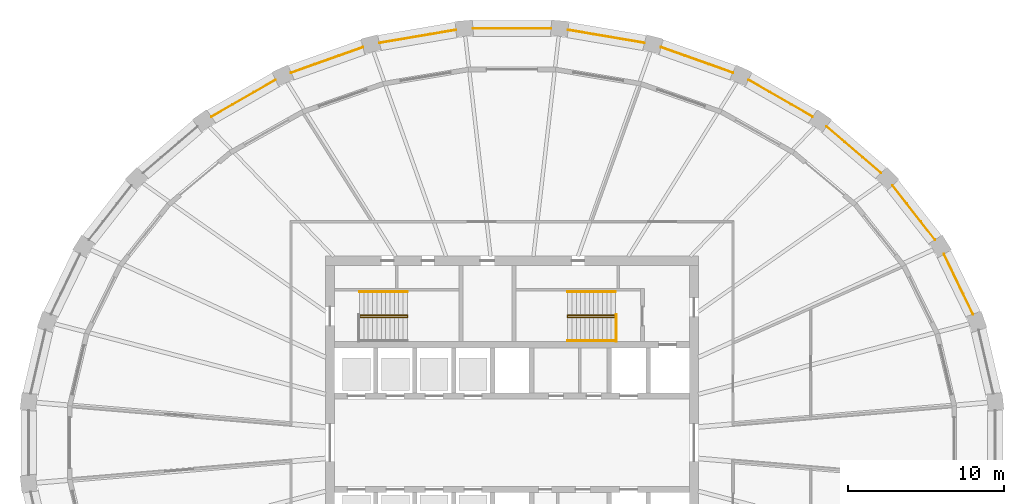
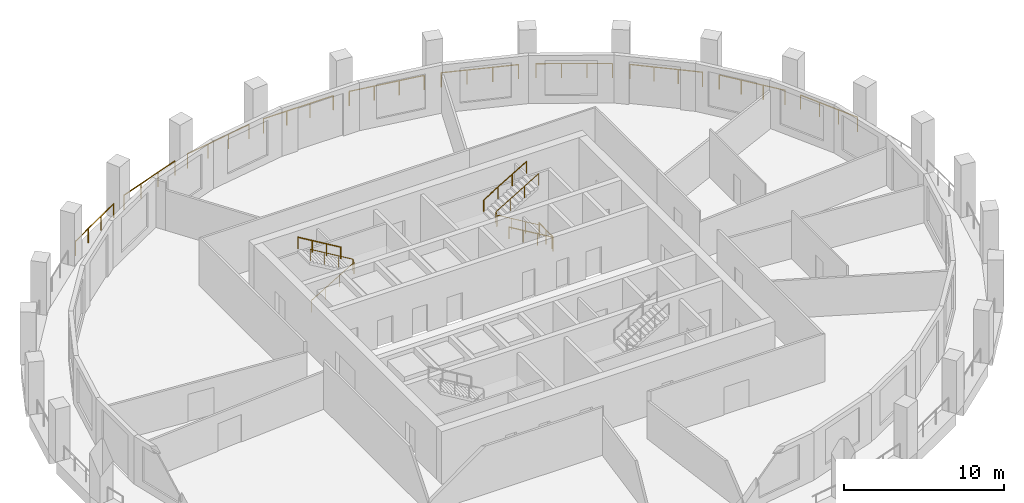
# One storey, part 9 of 10: 16 railings.
"""IFC4 building model written with IfcOpenShell, lengths in metres."""

from ifc_helpers import new_model, si_unit, direction, frame, origin, origin_2d, place, context, subcontext, project, spatial, circle, extrude, material, type_object, element, save


model = new_model("IFC4")

# Units and contexts
model_context = context("Model", 3, precision=1e-05, world=origin(), true_north=direction((0.0, 1.0)))
body_context = subcontext(model_context, "Body", "Model", "MODEL_VIEW")
ifc_project = project(units=[si_unit("LENGTHUNIT", "METRE"), si_unit("AREAUNIT", "SQUARE_METRE"), si_unit("VOLUMEUNIT", "CUBIC_METRE"), si_unit("PLANEANGLEUNIT", "RADIAN"), si_unit("MASSUNIT", "GRAM", prefix="KILO")], contexts=[model_context])

# Site, building, storey
site_placement = place(None, origin())
site = spatial("IfcSite", under=ifc_project, at=site_placement, CompositionType="ELEMENT")
building_placement = place(site_placement, origin())
building = spatial("IfcBuilding", under=site, at=building_placement, Name="Halqa Exchange Tower", CompositionType="ELEMENT")
storey_placement = place(building_placement, frame((0.0, 0.0, 246.89990234375)))
storey = spatial("IfcBuildingStorey", under=building, at=storey_placement, Name="L57", CompositionType="ELEMENT", Elevation=246.89990234375)

# Railings
ifc_material = material(Name="Stainless steel", Category="steel")
railing_type_1 = type_object("IfcRailingType", Name="Guard 1100 stainless steel", PredefinedType="GUARDRAIL", material=ifc_material)
railing_1_placement = place(storey_placement, frame((29.627197265625, 8.260986328125, 0.0)))
element("IfcRailing", 1, at=railing_1_placement, inside=storey, type_object=railing_type_1, Name="Loggia guard 2", PredefinedType="GUARDRAIL", context=body_context, shape_type="SweptSolid", body=[
    extrude(circle(Radius=0.02392578125, at=origin_2d()), frame((0.0, 0.0, 1.076171875), z_axis=(-0.435128594947, 0.900368316779, 0.0), x_axis=(-0.900368316779, -0.435128594947, 0.0)), (0.0, 0.0, 1.0), 4.281005859375),
    extrude(circle(Radius=0.02099609375, at=origin_2d()), origin(), (0.0, 0.0, 1.0), 1.052001953125),
    extrude(circle(Radius=0.02099609375, at=origin_2d()), frame((-0.620849609375, 1.284912109375, 0.0)), (0.0, 0.0, 1.0), 1.052001953125),
    extrude(circle(Radius=0.02099609375, at=origin_2d()), frame((-1.241943359375, 2.569580078125, 0.0)), (0.0, 0.0, 1.0), 1.052001953125),
    extrude(circle(Radius=0.02099609375, at=origin_2d()), frame((-1.86279296875, 3.8544921875, 0.0)), (0.0, 0.0, 1.0), 1.052001953125),
])
railing_2_placement = place(storey_placement, frame((27.18701171875, 13.044677734375, 0.0)))
element("IfcRailing", 2, at=railing_2_placement, inside=storey, type_object=railing_type_1, Name="Loggia guard 3", PredefinedType="GUARDRAIL", context=body_context, shape_type="SweptSolid", body=[
    extrude(circle(Radius=0.02392578125, at=origin_2d()), frame((0.0, 0.0, 1.076171875), z_axis=(-0.614837099367, 0.788654132838, 0.0), x_axis=(-0.788654132838, -0.614837099367, 0.0)), (0.0, 0.0, 1.0), 4.4287109375),
    extrude(circle(Radius=0.02099609375, at=origin_2d()), origin(), (0.0, 0.0, 1.0), 1.052001953125),
    extrude(circle(Radius=0.02099609375, at=origin_2d()), frame((-0.90771484375, 1.164306640625, 0.0)), (0.0, 0.0, 1.0), 1.052001953125),
    extrude(circle(Radius=0.02099609375, at=origin_2d()), frame((-1.815185546875, 2.328369140625, 0.0)), (0.0, 0.0, 1.0), 1.052001953125),
    extrude(circle(Radius=0.02099609375, at=origin_2d()), frame((-2.722900390625, 3.49267578125, 0.0)), (0.0, 0.0, 1.0), 1.052001953125),
])
railing_3_placement = place(storey_placement, frame((23.70849609375, 17.3291015625, 0.0)))
element("IfcRailing", 3, at=railing_3_placement, inside=storey, type_object=railing_type_1, Name="Loggia guard 4", PredefinedType="GUARDRAIL", context=body_context, shape_type="SweptSolid", body=[
    extrude(circle(Radius=0.02392578125, at=origin_2d()), frame((0.0, 0.0, 1.076171875), z_axis=(-0.759260350244, 0.650787000905, 0.0), x_axis=(-0.650787000905, -0.759260350244, 0.0)), (0.0, 0.0, 1.0), 4.59814453125),
    extrude(circle(Radius=0.02099609375, at=origin_2d()), origin(), (0.0, 0.0, 1.0), 1.052001953125),
    extrude(circle(Radius=0.02099609375, at=origin_2d()), frame((-1.163818359375, 0.99755859375, 0.0)), (0.0, 0.0, 1.0), 1.052001953125),
    extrude(circle(Radius=0.02099609375, at=origin_2d()), frame((-2.327392578125, 1.994873046875, 0.0)), (0.0, 0.0, 1.0), 1.052001953125),
    extrude(circle(Radius=0.02099609375, at=origin_2d()), frame((-3.4912109375, 2.992431640625, 0.0)), (0.0, 0.0, 1.0), 1.052001953125),
])
railing_4_placement = place(storey_placement, frame((19.322509765625, 20.952880859375, 0.0)))
element("IfcRailing", 4, at=railing_4_placement, inside=storey, type_object=railing_type_1, Name="Loggia guard 5", PredefinedType="GUARDRAIL", context=body_context, shape_type="SweptSolid", body=[
    extrude(circle(Radius=0.02392578125, at=origin_2d()), frame((0.0, 0.0, 1.076171875), z_axis=(-0.867760081541, 0.496983340651, 0.0), x_axis=(-0.496983340651, -0.867760081541, 0.0)), (0.0, 0.0, 1.0), 4.7626953125),
    extrude(circle(Radius=0.02099609375, at=origin_2d()), origin(), (0.0, 0.0, 1.0), 1.052001953125),
    extrude(circle(Radius=0.02099609375, at=origin_2d()), frame((-1.377685546875, 0.7890625, 0.0)), (0.0, 0.0, 1.0), 1.052001953125),
    extrude(circle(Radius=0.02099609375, at=origin_2d()), frame((-2.755126953125, 1.577880859375, 0.0)), (0.0, 0.0, 1.0), 1.052001953125),
    extrude(circle(Radius=0.02099609375, at=origin_2d()), frame((-4.1328125, 2.366943359375, 0.0)), (0.0, 0.0, 1.0), 1.052001953125),
])
railing_5_placement = place(storey_placement, frame((14.194091796875, 23.777099609375, 0.0)))
element("IfcRailing", 5, at=railing_5_placement, inside=storey, type_object=railing_type_1, Name="Loggia guard 6", PredefinedType="GUARDRAIL", context=body_context, shape_type="SweptSolid", body=[
    extrude(circle(Radius=0.02392578125, at=origin_2d()), frame((0.0, 0.0, 1.076171875), z_axis=(-0.942363882557, 0.334589768002, 0.0), x_axis=(-0.334589768002, -0.942363882557, 0.0)), (0.0, 0.0, 1.0), 4.898193359375),
    extrude(circle(Radius=0.02099609375, at=origin_2d()), origin(), (0.0, 0.0, 1.0), 1.052001953125),
    extrude(circle(Radius=0.02099609375, at=origin_2d()), frame((-1.53857421875, 0.54638671875, 0.0)), (0.0, 0.0, 1.0), 1.052001953125),
    extrude(circle(Radius=0.02099609375, at=origin_2d()), frame((-3.077392578125, 1.092529296875, 0.0)), (0.0, 0.0, 1.0), 1.052001953125),
    extrude(circle(Radius=0.02099609375, at=origin_2d()), frame((-4.615966796875, 1.638916015625, 0.0)), (0.0, 0.0, 1.0), 1.052001953125),
])
railing_6_placement = place(storey_placement, frame((8.517578125, 25.6923828125, 0.0)))
element("IfcRailing", 6, at=railing_6_placement, inside=storey, type_object=railing_type_1, Name="Loggia guard 7", PredefinedType="GUARDRAIL", context=body_context, shape_type="SweptSolid", body=[
    extrude(circle(Radius=0.02392578125, at=origin_2d()), frame((0.0, 0.0, 1.076171875), z_axis=(-0.985769089501, 0.16810503319, 0.0), x_axis=(-0.16810503319, -0.985769089501, 0.0)), (0.0, 0.0, 1.0), 4.9873046875),
    extrude(circle(Radius=0.02099609375, at=origin_2d()), origin(), (0.0, 0.0, 1.0), 1.052001953125),
    extrude(circle(Radius=0.02099609375, at=origin_2d()), frame((-1.638671875, 0.279541015625, 0.0)), (0.0, 0.0, 1.0), 1.052001953125),
    extrude(circle(Radius=0.02099609375, at=origin_2d()), frame((-3.277587890625, 0.558837890625, 0.0)), (0.0, 0.0, 1.0), 1.052001953125),
    extrude(circle(Radius=0.02099609375, at=origin_2d()), frame((-4.916259765625, 0.83837890625, 0.0)), (0.0, 0.0, 1.0), 1.052001953125),
])
railing_7_placement = place(storey_placement, frame((2.50927734375, 26.623046875, 0.0)))
element("IfcRailing", 7, at=railing_7_placement, inside=storey, type_object=railing_type_1, Name="Loggia guard 8", PredefinedType="GUARDRAIL", context=body_context, shape_type="SweptSolid", body=[
    extrude(circle(Radius=0.02392578125, at=origin_2d()), frame((0.0, 0.0, 1.076171875), z_axis=(-1.0, 0.0, 0.0), x_axis=(0.0, -1.0, 0.0)), (0.0, 0.0, 1.0), 5.0185546875),
    extrude(circle(Radius=0.02099609375, at=origin_2d()), origin(), (0.0, 0.0, 1.0), 1.052001953125),
    extrude(circle(Radius=0.02099609375, at=origin_2d()), frame((-1.6728515625, 0.0, 0.0)), (0.0, 0.0, 1.0), 1.052001953125),
    extrude(circle(Radius=0.02099609375, at=origin_2d()), frame((-3.345703125, 0.0, 0.0)), (0.0, 0.0, 1.0), 1.052001953125),
    extrude(circle(Radius=0.02099609375, at=origin_2d()), frame((-5.0185546875, 0.0, 0.0)), (0.0, 0.0, 1.0), 1.052001953125),
])
railing_8_placement = place(storey_placement, frame((-3.601318359375, 26.53076171875, 0.0)))
element("IfcRailing", 8, at=railing_8_placement, inside=storey, type_object=railing_type_1, Name="Loggia guard 9", PredefinedType="GUARDRAIL", context=body_context, shape_type="SweptSolid", body=[
    extrude(circle(Radius=0.02392578125, at=origin_2d()), frame((0.0, 0.0, 1.076171875), z_axis=(-0.985769089501, -0.16810503319, 0.0), x_axis=(0.16810503319, -0.985769089501, 0.0)), (0.0, 0.0, 1.0), 4.9873046875),
    extrude(circle(Radius=0.02099609375, at=origin_2d()), origin(), (0.0, 0.0, 1.0), 1.052001953125),
    extrude(circle(Radius=0.02099609375, at=origin_2d()), frame((-1.638671875, -0.279541015625, 0.0)), (0.0, 0.0, 1.0), 1.052001953125),
    extrude(circle(Radius=0.02099609375, at=origin_2d()), frame((-3.277587890625, -0.558837890625, 0.0)), (0.0, 0.0, 1.0), 1.052001953125),
    extrude(circle(Radius=0.02099609375, at=origin_2d()), frame((-4.916259765625, -0.83837890625, 0.0)), (0.0, 0.0, 1.0), 1.052001953125),
])
railing_9_placement = place(storey_placement, frame((-9.578125, 25.416015625, 0.0)))
element("IfcRailing", 9, at=railing_9_placement, inside=storey, type_object=railing_type_1, Name="Loggia guard 10", PredefinedType="GUARDRAIL", context=body_context, shape_type="SweptSolid", body=[
    extrude(circle(Radius=0.02392578125, at=origin_2d()), frame((0.0, 0.0, 1.076171875), z_axis=(-0.942363882557, -0.334589768002, 0.0), x_axis=(0.334589768002, -0.942363882557, 0.0)), (0.0, 0.0, 1.0), 4.898193359375),
    extrude(circle(Radius=0.02099609375, at=origin_2d()), origin(), (0.0, 0.0, 1.0), 1.052001953125),
    extrude(circle(Radius=0.02099609375, at=origin_2d()), frame((-1.53857421875, -0.54638671875, 0.0)), (0.0, 0.0, 1.0), 1.052001953125),
    extrude(circle(Radius=0.02099609375, at=origin_2d()), frame((-3.077392578125, -1.092529296875, 0.0)), (0.0, 0.0, 1.0), 1.052001953125),
    extrude(circle(Radius=0.02099609375, at=origin_2d()), frame((-4.615966796875, -1.638916015625, 0.0)), (0.0, 0.0, 1.0), 1.052001953125),
])
railing_10_placement = place(storey_placement, frame((-15.189697265625, 23.31982421875, 0.0)))
element("IfcRailing", 10, at=railing_10_placement, inside=storey, type_object=railing_type_1, Name="Loggia guard 11", PredefinedType="GUARDRAIL", context=body_context, shape_type="SweptSolid", body=[
    extrude(circle(Radius=0.02392578125, at=origin_2d()), frame((0.0, 0.0, 1.076171875), z_axis=(-0.867760081541, -0.496983340651, 0.0), x_axis=(0.496983340651, -0.867760081541, 0.0)), (0.0, 0.0, 1.0), 4.7626953125),
    extrude(circle(Radius=0.02099609375, at=origin_2d()), origin(), (0.0, 0.0, 1.0), 1.052001953125),
    extrude(circle(Radius=0.02099609375, at=origin_2d()), frame((-1.377685546875, -0.7890625, 0.0)), (0.0, 0.0, 1.0), 1.052001953125),
    extrude(circle(Radius=0.02099609375, at=origin_2d()), frame((-2.755126953125, -1.577880859375, 0.0)), (0.0, 0.0, 1.0), 1.052001953125),
    extrude(circle(Radius=0.02099609375, at=origin_2d()), frame((-4.1328125, -2.366943359375, 0.0)), (0.0, 0.0, 1.0), 1.052001953125),
])
railing_type_2 = type_object("IfcRailingType", Name="Stair handrail 900", PredefinedType="HANDRAIL", material=ifc_material)
railing_11_placement = place(storey_placement, frame((-9.800048828125, 8.06005859375, 0.166748046875)))
element("IfcRailing", 11, at=railing_11_placement, inside=storey, type_object=railing_type_2, Name="Handrail ST1.1", PredefinedType="HANDRAIL", context=body_context, shape_type="SweptSolid", body=[
    extrude(circle(Radius=0.02392578125, at=origin_2d()), frame((0.0, 0.0, 0.8759765625), z_axis=(0.859308565015, 0.0, 0.511457515432), x_axis=(0.0, 1.0, 0.0)), (0.0, 0.0, 1.0), 3.58447265625),
    extrude(circle(Radius=0.02392578125, at=origin_2d()), frame((3.080078125, 0.0, 2.708984375), z_axis=(0.0, 0.614500226555, 0.788916644243), x_axis=(-1.0, 0.0, 0.0)), (0.0, 0.0, 1.0), 0.21142578125),
    extrude(circle(Radius=0.02392578125, at=origin_2d()), frame((3.080078125, 0.1298828125, 2.8759765625), z_axis=(-0.859308565015, 0.0, 0.511457515432), x_axis=(0.0, -1.0, 0.0)), (0.0, 0.0, 1.0), 3.58447265625),
    extrude(circle(Radius=0.02099609375, at=origin_2d()), origin(), (0.0, 0.0, 1.0), 0.851806640625),
    extrude(circle(Radius=0.02099609375, at=origin_2d()), frame((1.026611328125, 0.0, 0.611083984375)), (0.0, 0.0, 1.0), 0.851806640625),
    extrude(circle(Radius=0.02099609375, at=origin_2d()), frame((2.053466796875, 0.0, 1.22216796875)), (0.0, 0.0, 1.0), 0.851806640625),
    extrude(circle(Radius=0.02099609375, at=origin_2d()), frame((3.080078125, 0.0, 1.833251953125)), (0.0, 0.0, 1.0), 0.851806640625),
    extrude(circle(Radius=0.02099609375, at=origin_2d()), frame((3.080078125, 0.1298828125, 2.0)), (0.0, 0.0, 1.0), 0.851806640625),
    extrude(circle(Radius=0.02099609375, at=origin_2d()), frame((2.053466796875, 0.1298828125, 2.611083984375)), (0.0, 0.0, 1.0), 0.851806640625),
    extrude(circle(Radius=0.02099609375, at=origin_2d()), frame((1.026611328125, 0.1298828125, 3.22216796875)), (0.0, 0.0, 1.0), 0.851806640625),
    extrude(circle(Radius=0.02099609375, at=origin_2d()), frame((0.0, 0.1298828125, 3.833251953125)), (0.0, 0.0, 1.0), 0.851806640625),
])
railing_12_placement = place(storey_placement, frame((-6.719970703125, 9.699951171875, 2.166748046875)))
element("IfcRailing", 12, at=railing_12_placement, inside=storey, type_object=railing_type_2, Name="Handrail ST1.3", PredefinedType="HANDRAIL", context=body_context, shape_type="SweptSolid", body=[
    extrude(circle(Radius=0.02392578125, at=origin_2d()), frame((0.0, 0.0, 0.8759765625), z_axis=(-0.859308565015, 0.0, 0.511457515432), x_axis=(0.0, -1.0, 0.0)), (0.0, 0.0, 1.0), 3.58447265625),
    extrude(circle(Radius=0.02099609375, at=origin_2d()), origin(), (0.0, 0.0, 1.0), 0.851806640625),
    extrude(circle(Radius=0.02099609375, at=origin_2d()), frame((-1.026611328125, 0.0, 0.611083984375)), (0.0, 0.0, 1.0), 0.851806640625),
    extrude(circle(Radius=0.02099609375, at=origin_2d()), frame((-2.053466796875, 0.0, 1.22216796875)), (0.0, 0.0, 1.0), 0.851806640625),
    extrude(circle(Radius=0.02099609375, at=origin_2d()), frame((-3.080078125, 0.0, 1.833251953125)), (0.0, 0.0, 1.0), 0.851806640625),
])
railing_13_placement = place(storey_placement, frame((6.64990234375, 8.06005859375, 0.166748046875)))
element("IfcRailing", 13, at=railing_13_placement, inside=storey, type_object=railing_type_2, Name="Handrail ST2.1", PredefinedType="HANDRAIL", context=body_context, shape_type="SweptSolid", body=[
    extrude(circle(Radius=0.02392578125, at=origin_2d()), frame((0.0, 0.0, 0.8759765625), z_axis=(-0.859290745958, 0.0, 0.51148745235), x_axis=(0.0, -1.0, 0.0)), (0.0, 0.0, 1.0), 3.584228515625),
    extrude(circle(Radius=0.02392578125, at=origin_2d()), frame((-3.079833984375, 0.0, 2.708984375), z_axis=(0.0, 0.614500226555, 0.788916644243), x_axis=(-1.0, 0.0, 0.0)), (0.0, 0.0, 1.0), 0.21142578125),
    extrude(circle(Radius=0.02392578125, at=origin_2d()), frame((-3.079833984375, 0.1298828125, 2.8759765625), z_axis=(0.859290745958, 0.0, 0.51148745235), x_axis=(0.0, 1.0, 0.0)), (0.0, 0.0, 1.0), 3.584228515625),
    extrude(circle(Radius=0.02099609375, at=origin_2d()), origin(), (0.0, 0.0, 1.0), 0.851806640625),
    extrude(circle(Radius=0.02099609375, at=origin_2d()), frame((-1.026611328125, 0.0, 0.611083984375)), (0.0, 0.0, 1.0), 0.851806640625),
    extrude(circle(Radius=0.02099609375, at=origin_2d()), frame((-2.05322265625, 0.0, 1.22216796875)), (0.0, 0.0, 1.0), 0.851806640625),
    extrude(circle(Radius=0.02099609375, at=origin_2d()), frame((-3.079833984375, 0.0, 1.833251953125)), (0.0, 0.0, 1.0), 0.851806640625),
    extrude(circle(Radius=0.02099609375, at=origin_2d()), frame((-3.079833984375, 0.1298828125, 2.0)), (0.0, 0.0, 1.0), 0.851806640625),
    extrude(circle(Radius=0.02099609375, at=origin_2d()), frame((-2.05322265625, 0.1298828125, 2.611083984375)), (0.0, 0.0, 1.0), 0.851806640625),
    extrude(circle(Radius=0.02099609375, at=origin_2d()), frame((-1.026611328125, 0.1298828125, 3.22216796875)), (0.0, 0.0, 1.0), 0.851806640625),
    extrude(circle(Radius=0.02099609375, at=origin_2d()), frame((0.0, 0.1298828125, 3.833251953125)), (0.0, 0.0, 1.0), 0.851806640625),
])
railing_14_placement = place(storey_placement, frame((6.64990234375, 6.550048828125, 0.166748046875)))
element("IfcRailing", 14, at=railing_14_placement, inside=storey, type_object=railing_type_2, Name="Handrail ST2.2", PredefinedType="HANDRAIL", context=body_context, shape_type="SweptSolid", body=[
    extrude(circle(Radius=0.02392578125, at=origin_2d()), frame((0.0, 0.0, 0.8759765625), z_axis=(-0.859290745958, 0.0, 0.51148745235), x_axis=(0.0, -1.0, 0.0)), (0.0, 0.0, 1.0), 3.584228515625),
    extrude(circle(Radius=0.02099609375, at=origin_2d()), origin(), (0.0, 0.0, 1.0), 0.851806640625),
    extrude(circle(Radius=0.02099609375, at=origin_2d()), frame((-1.026611328125, 0.0, 0.611083984375)), (0.0, 0.0, 1.0), 0.851806640625),
    extrude(circle(Radius=0.02099609375, at=origin_2d()), frame((-2.05322265625, 0.0, 1.22216796875)), (0.0, 0.0, 1.0), 0.851806640625),
    extrude(circle(Radius=0.02099609375, at=origin_2d()), frame((-3.079833984375, 0.0, 1.833251953125)), (0.0, 0.0, 1.0), 0.851806640625),
])
railing_15_placement = place(storey_placement, frame((3.570068359375, 9.699951171875, 2.166748046875)))
element("IfcRailing", 15, at=railing_15_placement, inside=storey, type_object=railing_type_2, Name="Handrail ST2.3", PredefinedType="HANDRAIL", context=body_context, shape_type="SweptSolid", body=[
    extrude(circle(Radius=0.02392578125, at=origin_2d()), frame((0.0, 0.0, 0.8759765625), z_axis=(0.859290745958, 0.0, 0.51148745235), x_axis=(0.0, 1.0, 0.0)), (0.0, 0.0, 1.0), 3.584228515625),
    extrude(circle(Radius=0.02099609375, at=origin_2d()), origin(), (0.0, 0.0, 1.0), 0.851806640625),
    extrude(circle(Radius=0.02099609375, at=origin_2d()), frame((1.026611328125, 0.0, 0.611083984375)), (0.0, 0.0, 1.0), 0.851806640625),
    extrude(circle(Radius=0.02099609375, at=origin_2d()), frame((2.05322265625, 0.0, 1.22216796875)), (0.0, 0.0, 1.0), 0.851806640625),
    extrude(circle(Radius=0.02099609375, at=origin_2d()), frame((3.079833984375, 0.0, 1.833251953125)), (0.0, 0.0, 1.0), 0.851806640625),
])
railing_type_3 = type_object("IfcRailingType", Name="Stair well guard 1100", PredefinedType="GUARDRAIL", material=ifc_material)
railing_16_placement = place(storey_placement, frame((6.699951171875, 6.5, 0.0)))
element("IfcRailing", 16, at=railing_16_placement, inside=storey, type_object=railing_type_3, Name="Guard ST2 well", PredefinedType="GUARDRAIL", context=body_context, shape_type="SweptSolid", body=[
    extrude(circle(Radius=0.02392578125, at=origin_2d()), frame((0.0, 0.0, 1.076171875), z_axis=(0.0, 1.0, 0.0), x_axis=(-1.0, 0.0, 0.0)), (0.0, 0.0, 1.0), 1.75),
    extrude(circle(Radius=0.02099609375, at=origin_2d()), origin(), (0.0, 0.0, 1.0), 1.052001953125),
    extrude(circle(Radius=0.02099609375, at=origin_2d()), frame((0.0, 0.875, 0.0)), (0.0, 0.0, 1.0), 1.052001953125),
    extrude(circle(Radius=0.02099609375, at=origin_2d()), frame((0.0, 1.75, 0.0)), (0.0, 0.0, 1.0), 1.052001953125),
])

save(model, "model.ifc")
